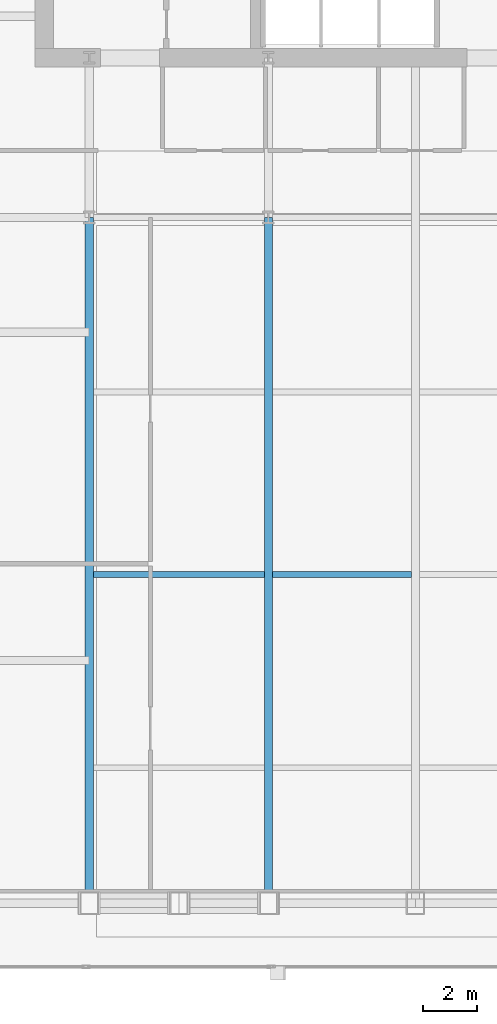
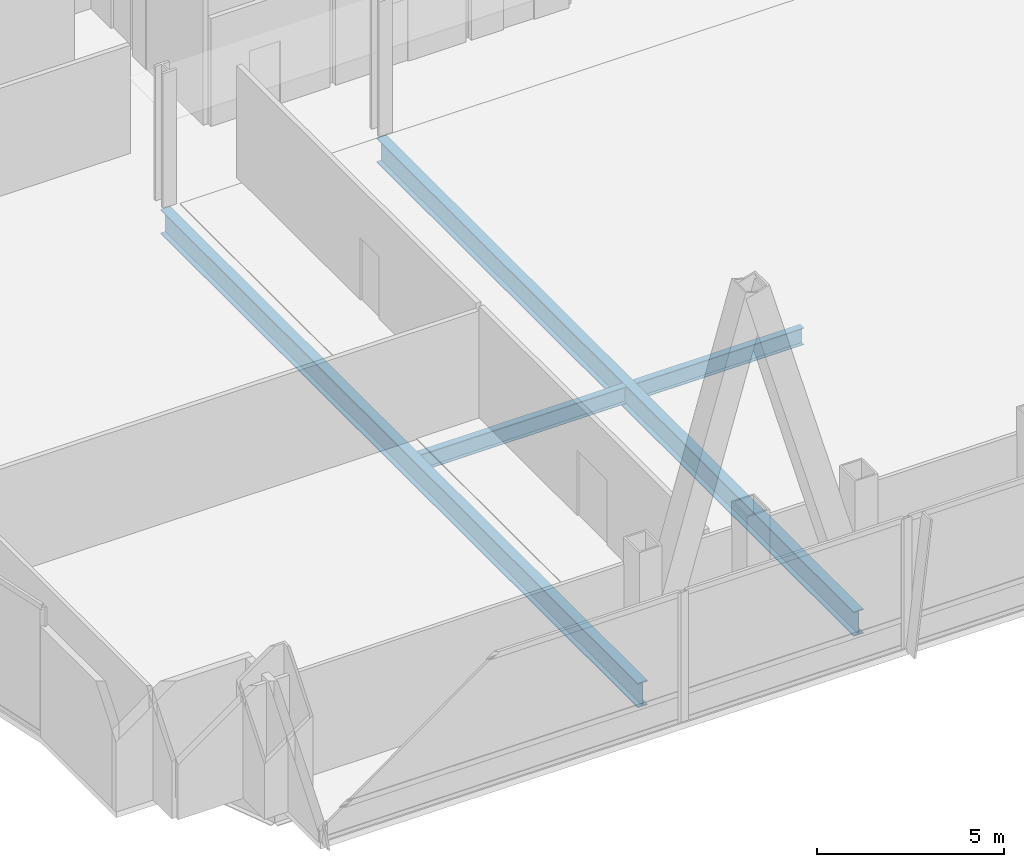
# One storey, part 9 of 32: 4 beams.
"""IFC4 building model written with IfcOpenShell, lengths in metres."""

import ifcopenshell
import ifcopenshell.guid

model = None  # the IFC model being written
_history = None  # IfcOwnerHistory: only IFC2X3 demands one
_inside = {}  # id of a spatial element -> (the spatial element, [elements in it])
_under = {}  # id of a project, library or spatial element -> (it, [spatial elements below it])
_declared = {}  # id of a project -> (the project, [libraries it declares])
_typed = {}  # id of a type object -> (the type object, [elements of that type])
_made_of = {}  # id of a material, layer set ... -> (it, [elements and type objects made of it])


def new_model(schema):
    """Start an empty IFC model of exactly this schema.

    Asked for "IFC4X3", IfcOpenShell would pick the latest addendum, in which some entities
    have other attributes; the version numbers below select the first issue.
    IFC2X3 requires an IfcOwnerHistory on every rooted entity: one is made here for all.
    """
    global model, _history
    if schema == "IFC4X3":
        model = ifcopenshell.file(schema_version=(4, 3, 0, 0))
    else:
        model = ifcopenshell.file(schema=schema)
    _inside.clear()
    _under.clear()
    _declared.clear()
    _typed.clear()
    _made_of.clear()
    _history = None
    if model.schema == "IFC2X3":
        org = make("IfcOrganization", Name="unknown")
        user = make(
            "IfcPersonAndOrganization",
            ThePerson=make("IfcPerson", FamilyName="unknown"),
            TheOrganization=org,
        )
        app = make(
            "IfcApplication",
            ApplicationDeveloper=org,
            Version="unknown",
            ApplicationFullName="unknown",
            ApplicationIdentifier="unknown",
        )
        _history = make(
            "IfcOwnerHistory",
            OwningUser=user,
            OwningApplication=app,
            ChangeAction="ADDED",
            CreationDate=0,
        )
    return model


def make(cls, **values):
    """One entity of the class cls with the attributes given. An attribute that is None is left unset."""
    return model.create_entity(
        cls, **{name: value for name, value in values.items() if value is not None}
    )


def rooted(cls, **values):
    """An entity with a GlobalId (a new one), such as an element, a storey or a relation."""
    return make(cls, GlobalId=ifcopenshell.guid.new(), OwnerHistory=_history, **values)


def si_unit(unit_type, name, prefix=None):
    """IfcSIUnit, for example si_unit("LENGTHUNIT", "METRE", prefix="MILLI")."""
    return make("IfcSIUnit", UnitType=unit_type, Prefix=prefix, Name=name)


def assignment(units):
    """IfcUnitAssignment: the units of a project."""
    return None if units is None else make("IfcUnitAssignment", Units=units)


def point(xyz):
    """IfcCartesianPoint."""
    return None if xyz is None else make("IfcCartesianPoint", Coordinates=xyz)


def direction(xyz):
    """IfcDirection."""
    return None if xyz is None else make("IfcDirection", DirectionRatios=xyz)


def frame(location, z_axis=None, x_axis=None):
    """IfcAxis2Placement3D, a coordinate frame: its origin and axes. An axis left out is left unset."""
    return make(
        "IfcAxis2Placement3D",
        Location=point(location),
        Axis=direction(z_axis),
        RefDirection=direction(x_axis),
    )


def frame_2d(location, x_axis=None):
    """IfcAxis2Placement2D, a coordinate frame in the plane: its origin and x axis."""
    return make(
        "IfcAxis2Placement2D", Location=point(location), RefDirection=direction(x_axis)
    )


def origin():
    """The frame at (0, 0, 0) with its axes left unset."""
    return frame((0.0, 0.0, 0.0))


def origin_2d():
    """The frame at (0, 0) in the plane with its x axis left unset."""
    return frame_2d((0.0, 0.0))


def place(relative_to, where):
    """IfcLocalPlacement: puts the frame where relative to a parent placement (None: the world)."""
    return make(
        "IfcLocalPlacement", PlacementRelTo=relative_to, RelativePlacement=where
    )


def context(
    kind, dimensions, precision=None, world=None, true_north=None, identifier=None
):
    """IfcGeometricRepresentationContext, for example the 3D "Model" context."""
    return make(
        "IfcGeometricRepresentationContext",
        ContextIdentifier=identifier,
        ContextType=kind,
        CoordinateSpaceDimension=dimensions,
        Precision=precision,
        WorldCoordinateSystem=world,
        TrueNorth=true_north,
    )


def subcontext(parent, identifier, kind, view, scale=None):
    """IfcGeometricRepresentationSubContext, for example "Body" below "Model"."""
    return make(
        "IfcGeometricRepresentationSubContext",
        ContextIdentifier=identifier,
        ContextType=kind,
        ParentContext=parent,
        TargetScale=scale,
        TargetView=view,
    )


def project(units=None, contexts=None):
    """IfcProject with its units and contexts."""
    return rooted(
        "IfcProject",
        Name="project",
        RepresentationContexts=contexts,
        UnitsInContext=assignment(units),
    )


def spatial(cls, under=None, at=None, **own):
    """A site, building, storey or space (cls), placed at a placement, below another one or the project."""
    s = rooted(cls, ObjectPlacement=at, **own)
    if under is not None:
        _under.setdefault(under.id(), (under, []))[1].append(s)
    return s


def profile(cls, at=None, kind="AREA", **sizes):
    """A parametric profile (cls). Its sizes go by their IFC names, for example OverallWidth=200.0."""
    return make(cls, ProfileType=kind, Position=at, **sizes)


def i_section(**sizes):
    """IfcIShapeProfileDef."""
    return profile("IfcIShapeProfileDef", **sizes)


def extrude(swept, where, along, depth):
    """IfcExtrudedAreaSolid: the profile swept, set in the frame where, extruded along a direction by depth."""
    return make(
        "IfcExtrudedAreaSolid",
        SweptArea=swept,
        Position=where,
        ExtrudedDirection=direction(along),
        Depth=depth,
    )


def shape(context_of_items, identifier, shape_type, items):
    """IfcShapeRepresentation: the items that make up one representation, for example the "Body"."""
    return make(
        "IfcShapeRepresentation",
        ContextOfItems=context_of_items,
        RepresentationIdentifier=identifier,
        RepresentationType=shape_type,
        Items=items,
    )


def material(Name=None, Category=None):
    """IfcMaterial."""
    return make("IfcMaterial", Name=Name, Category=Category)


def material_profile(
    of_material, cross_section, Name=None, Category=None, Priority=None
):
    """IfcMaterialProfile: a cross section and its material."""
    return make(
        "IfcMaterialProfile",
        Name=Name,
        Material=of_material,
        Profile=cross_section,
        Priority=Priority,
        Category=Category,
    )


def profile_set(profiles, Name=None, composite=None):
    """IfcMaterialProfileSet."""
    return make(
        "IfcMaterialProfileSet",
        Name=Name,
        MaterialProfiles=profiles,
        CompositeProfile=composite,
    )


def made_of(thing, what):
    """Note that an element or type object is made of a material, layer set ...; save() writes the relation."""
    if what is not None:
        _made_of.setdefault(what.id(), (what, []))[1].append(thing)
    return thing


def type_object(cls, material=None, **own):
    """A type object (cls), such as IfcWallType, which elements share."""
    return made_of(rooted(cls, **own), material)


def element(
    cls,
    number,
    at=None,
    inside=None,
    cuts=None,
    type_object=None,
    material=None,
    context=None,
    identifier="Body",
    shape_type=None,
    held_by="IfcProductDefinitionShape",
    body=None,
    shapes=None,
    **own,
):
    """One element of the class cls, such as IfcWall. Its Tag is "e" and its number.

    at: its placement. inside: the storey or other place that contains it. cuts: it is an
    opening in that element (IfcRelVoidsElement). A single representation is given by context,
    identifier, shape_type and body (its items); several are given by shapes. held_by: the class
    of the entity that holds the representations. save() writes the other relations.
    """
    e = rooted(cls, Tag="e%d" % number, ObjectPlacement=at, **own)
    if body is not None:
        shapes = [shape(context, identifier, shape_type, body)]
    if shapes is not None:
        e.Representation = make(held_by, Representations=shapes)
    if inside is not None:
        _inside.setdefault(inside.id(), (inside, []))[1].append(e)
    if cuts is not None:
        rooted(
            "IfcRelVoidsElement", RelatingBuildingElement=cuts, RelatedOpeningElement=e
        )
    if type_object is not None:
        _typed.setdefault(type_object.id(), (type_object, []))[1].append(e)
    return made_of(e, material)


def aggregate(whole, parts):
    """IfcRelAggregates: a whole, such as a stair, and the parts it consists of."""
    return rooted("IfcRelAggregates", RelatingObject=whole, RelatedObjects=parts)


def save(model, path):
    """Write the relations noted so far, then the file.

    IfcRelAggregates (storeys below a building ...), IfcRelContainedInSpatialStructure (elements
    in a storey), IfcRelDefinesByType, IfcRelAssociatesMaterial and IfcRelDeclares: one each for
    every whole, place, type object, material and project.
    """
    for whole, parts in _under.values():
        aggregate(whole, parts)
    for where, things in _inside.values():
        rooted(
            "IfcRelContainedInSpatialStructure",
            RelatedElements=things,
            RelatingStructure=where,
        )
    for kind, things in _typed.values():
        rooted("IfcRelDefinesByType", RelatedObjects=things, RelatingType=kind)
    for what, things in _made_of.values():
        rooted("IfcRelAssociatesMaterial", RelatedObjects=things, RelatingMaterial=what)
    for by, libraries in _declared.values():
        rooted("IfcRelDeclares", RelatingContext=by, RelatedDefinitions=libraries)
    model.write(path)


model = new_model("IFC4")

# Units and contexts
model_context = context("Model", 3, precision=1e-05, world=origin(), true_north=direction((0.0, 1.0)))
body_context = subcontext(model_context, "Body", "Model", "MODEL_VIEW")
ifc_project = project(units=[si_unit("LENGTHUNIT", "METRE"), si_unit("AREAUNIT", "SQUARE_METRE"), si_unit("VOLUMEUNIT", "CUBIC_METRE"), si_unit("PLANEANGLEUNIT", "RADIAN"), si_unit("MASSUNIT", "GRAM", prefix="KILO")], contexts=[model_context])

# Site, building, storey
site_placement = place(None, origin())
site = spatial("IfcSite", under=ifc_project, at=site_placement, CompositionType="ELEMENT")
building_placement = place(site_placement, origin())
building = spatial("IfcBuilding", under=site, at=building_placement, Name="Khoronbel Lancet Exchange", CompositionType="ELEMENT")
storey_placement = place(building_placement, frame((0.0, 0.0, 106.60009765625)))
storey = spatial("IfcBuildingStorey", under=building, at=storey_placement, Name="L25", CompositionType="ELEMENT", Elevation=106.60009765625)

# Beams
ifc_material = material(Name="Steel S355", Category="steel")
ifc_material_profile_1 = material_profile(ifc_material, i_section(OverallWidth=0.300048828125, OverallDepth=0.800048828125, WebThickness=0.017578125, FlangeThickness=0.032958984375, at=origin_2d()), Name="HEB 800")
ifc_profile_set_1 = profile_set([ifc_material_profile_1], Name="Steel S355")
beam_type_1 = type_object("IfcBeamType", Name="BM-BG2", PredefinedType="BEAM", material=ifc_profile_set_1)
for number, where, z_axis, x_axis, name in (
    (1, (18.22509765625, 10.14990234375, -0.60009765625), (0.0, 1.0, 0.0), (-1.0, 0.0, 0.0), "Level L25 south primary girder GS1"),
    (2, (24.89990234375, 10.14990234375, -0.60009765625), (0.0, 1.0, 0.0), (-1.0, 0.0, 0.0), "Level L25 south primary girder GS2"),
):
    element("IfcBeam", number, at=place(storey_placement, frame(where, z_axis=z_axis, x_axis=x_axis)), inside=storey, type_object=beam_type_1, Name=name, PredefinedType="BEAM", context=body_context, shape_type="SweptSolid", body=[
        extrude(i_section(OverallWidth=0.300048828125, OverallDepth=0.800048828125, WebThickness=0.017578125, FlangeThickness=0.032958984375, at=origin_2d()), origin(), (0.0, 0.0, 1.0), 25.550048828125),
    ])
ifc_material_profile_2 = material_profile(ifc_material, i_section(OverallWidth=0.2099609375, OverallDepth=0.550048828125, WebThickness=0.010986328125, FlangeThickness=0.01708984375, at=origin_2d()), Name="IPE 550")
ifc_profile_set_2 = profile_set([ifc_material_profile_2], Name="Steel S355")
beam_type_2 = type_object("IfcBeamType", Name="BM-BJ2", PredefinedType="JOIST", material=ifc_profile_set_2)
beam_1_placement = place(storey_placement, frame((18.375, 22.39990234375, -0.47509765625), z_axis=(1.0, 0.0, 0.0), x_axis=(0.0, 1.0, 0.0)))
element("IfcBeam", 3, at=beam_1_placement, inside=storey, type_object=beam_type_2, Name="Level L25 secondary composite joist J06", PredefinedType="JOIST", context=body_context, shape_type="SweptSolid", body=[
    extrude(i_section(OverallWidth=0.2099609375, OverallDepth=0.550048828125, WebThickness=0.010986328125, FlangeThickness=0.01708984375, at=origin_2d()), origin(), (0.0, 0.0, 1.0), 6.375),
])
beam_2_placement = place(storey_placement, frame((25.050048828125, 22.39990234375, -0.47509765625), z_axis=(1.0, 0.0, 0.0), x_axis=(0.0, 1.0, 0.0)))
element("IfcBeam", 4, at=beam_2_placement, inside=storey, type_object=beam_type_2, Name="Level L25 secondary composite joist J07", PredefinedType="JOIST", context=body_context, shape_type="SweptSolid", body=[
    extrude(i_section(OverallWidth=0.2099609375, OverallDepth=0.550048828125, WebThickness=0.010986328125, FlangeThickness=0.01708984375, at=origin_2d()), origin(), (0.0, 0.0, 1.0), 5.175048828125),
])

save(model, "model.ifc")
